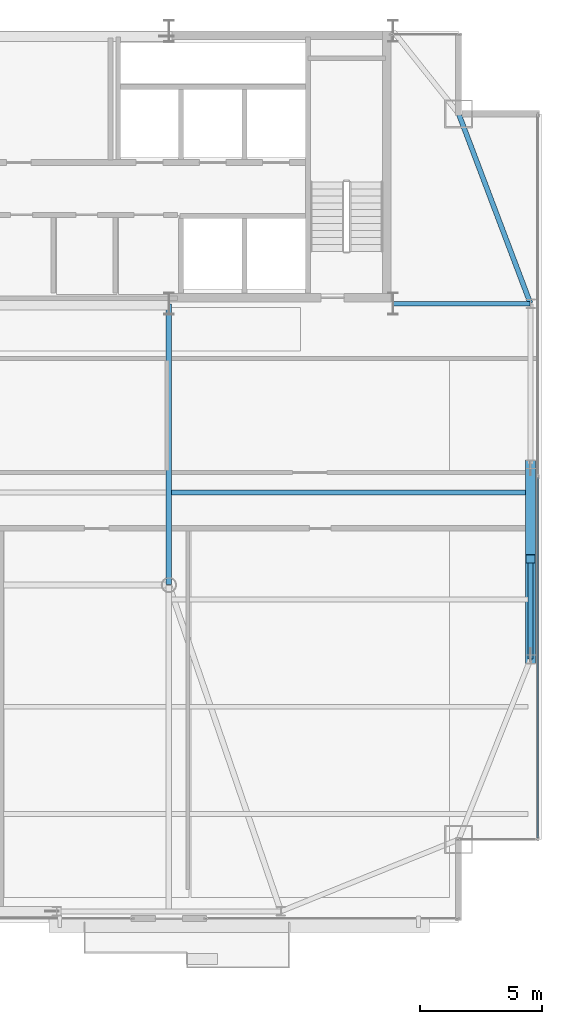
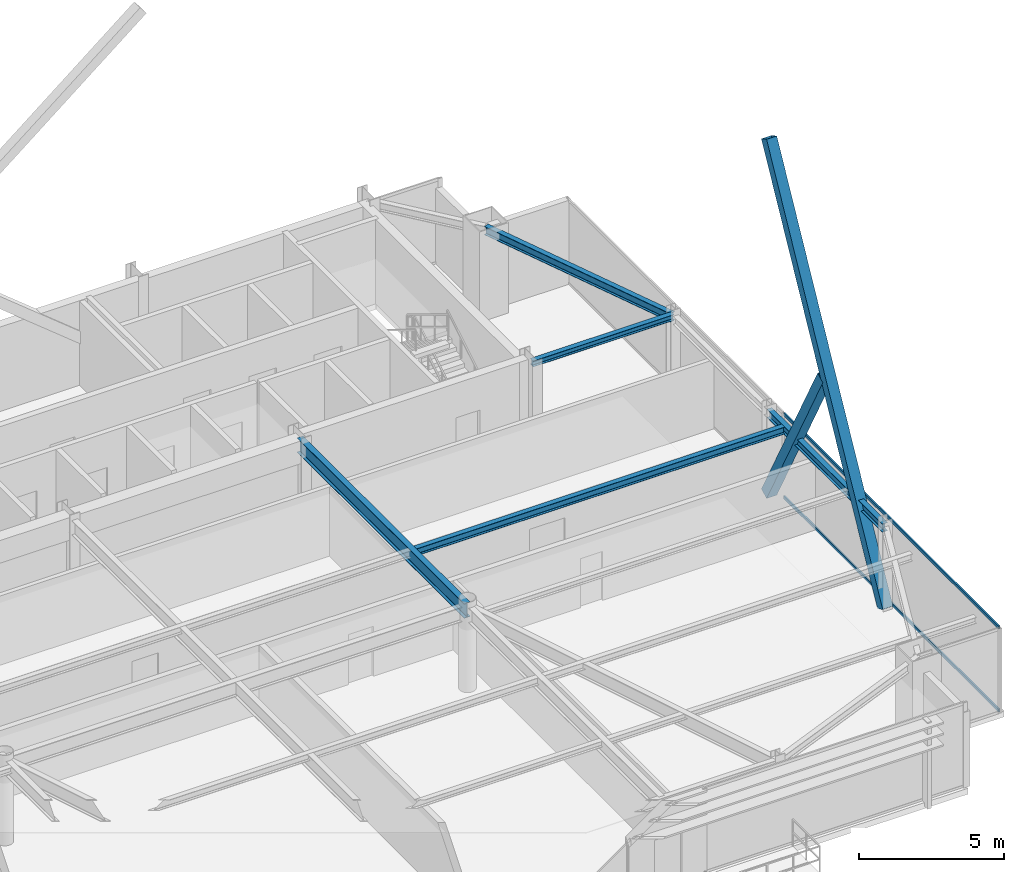
# One storey, part 18 of 31: 5 beams, 4 members, 1 element without a shape of its own.
"""IFC4 building model written with IfcOpenShell, lengths in metres."""

from ifc_helpers import new_model, si_unit, direction, frame, origin, origin_2d, place, context, subcontext, project, spatial, hollow_rectangle, i_section, extrude, source, transform, mapped, material, layer, layer_set, material_profile, profile_set, type_object, type_shapes, element, aggregate, save


model = new_model("IFC4")

# Units and contexts
model_context = context("Model", 3, precision=1e-05, world=origin(), true_north=direction((0.0, 1.0)))
body_context = subcontext(model_context, "Body", "Model", "MODEL_VIEW")
ifc_project = project(units=[si_unit("LENGTHUNIT", "METRE"), si_unit("AREAUNIT", "SQUARE_METRE"), si_unit("VOLUMEUNIT", "CUBIC_METRE"), si_unit("PLANEANGLEUNIT", "RADIAN"), si_unit("MASSUNIT", "GRAM", prefix="KILO")], contexts=[model_context])

# Site, building, storey
site_placement = place(None, origin())
site = spatial("IfcSite", under=ifc_project, at=site_placement, CompositionType="ELEMENT")
building_placement = place(site_placement, origin())
building = spatial("IfcBuilding", under=site, at=building_placement, Name="Varnel Quay Broadcast Tower", CompositionType="ELEMENT")
storey_placement = place(building_placement, frame((0.0, 0.0, 239.39990234375)))
storey = spatial("IfcBuildingStorey", under=building, at=storey_placement, Name="L59", CompositionType="ELEMENT", Elevation=239.39990234375)

# Beams
ifc_material_1 = material(Name="Structural Steel CSA G40.21 350W", Category="steel")
ifc_material_profile_1 = material_profile(ifc_material_1, i_section(OverallWidth=0.205078125, OverallDepth=0.35400390625, WebThickness=0.009521484375, FlangeThickness=0.016845703125, FilletRadius=0.012939453125, at=origin_2d()), Name="W360X79")
ifc_profile_set_1 = profile_set([ifc_material_profile_1], Name="Structural Steel CSA G40.21 350W")
beam_type_1 = type_object("IfcBeamType", Name="Beam_W360X79", PredefinedType="SPANDREL", material=ifc_profile_set_1)
shared_shape_1 = source(origin(), body_context, "Body", "SweptSolid", [
    extrude(i_section(OverallWidth=0.205078125, OverallDepth=0.35400390625, WebThickness=0.009521484375, FlangeThickness=0.016845703125, FilletRadius=0.012939453125, at=origin_2d()), origin(), (0.0, 0.0, 1.0), 7.9599609375),
])
beam_1_placement = place(storey_placement, frame((58.050048828125, 21.02001953125, 3.373046875), z_axis=(0.0, 1.0, 0.0), x_axis=(-1.0, 0.0, 0.0)))
element("IfcBeam", 1, at=beam_1_placement, inside=storey, type_object=beam_type_1, Name="L59 East Spandrel TC-E1-TC-E2", PredefinedType="SPANDREL", context=body_context, shape_type="MappedRepresentation", body=[
    mapped(shared_shape_1, transform((0.0, 0.0, 0.0), x_axis=(1.0, 0.0, 0.0), y_axis=(0.0, 1.0, 0.0), z_axis=(0.0, 0.0, 1.0), scale=1.0)),
])
shared_shape_2 = source(origin(), body_context, "Body", "SweptSolid", [
    extrude(i_section(OverallWidth=0.205078125, OverallDepth=0.35400390625, WebThickness=0.009521484375, FlangeThickness=0.016845703125, FilletRadius=0.012939453125, at=origin_2d()), origin(), (0.0, 0.0, 1.0), 8.29931640625),
])
type_shapes(beam_type_1, [shared_shape_1, shared_shape_2])
beam_2_placement = place(storey_placement, frame((58.04296875, 35.61865234375, 3.373046875), z_axis=(-0.353739782058, 0.935343876117, 0.0), x_axis=(-0.935343876117, -0.353739782058, 0.0)))
element("IfcBeam", 2, at=beam_2_placement, inside=storey, type_object=beam_type_1, Name="L59 East Spandrel TC-E3-MC-NE", PredefinedType="SPANDREL", context=body_context, shape_type="MappedRepresentation", body=[
    mapped(shared_shape_2, transform((0.0, 0.0, 0.0), x_axis=(1.0, 0.0, 0.0), y_axis=(0.0, 1.0, 0.0), z_axis=(0.0, 0.0, 1.0), scale=1.0)),
])
ifc_material_profile_2 = material_profile(ifc_material_1, i_section(OverallWidth=0.22998046875, OverallDepth=0.616943359375, WebThickness=0.01318359375, FlangeThickness=0.022216796875, FilletRadius=0.01611328125, at=origin_2d()), Name="W610X140")
ifc_profile_set_2 = profile_set([ifc_material_profile_2], Name="Structural Steel CSA G40.21 350W")
beam_type_2 = type_object("IfcBeamType", Name="Girder_W610X140", PredefinedType="BEAM", material=ifc_profile_set_2)
shared_shape_3 = source(origin(), body_context, "Body", "SweptSolid", [
    extrude(i_section(OverallWidth=0.22998046875, OverallDepth=0.616943359375, WebThickness=0.01318359375, FlangeThickness=0.022216796875, FilletRadius=0.01611328125, at=origin_2d()), origin(), (0.0, 0.0, 1.0), 11.510009765625),
])
type_shapes(beam_type_2, [shared_shape_3])
beam_3_placement = place(storey_placement, frame((43.199951171875, 24.070068359375, 3.24169921875), z_axis=(0.0, 1.0, 0.0), x_axis=(-1.0, 0.0, 0.0)))
element("IfcBeam", 3, at=beam_3_placement, inside=storey, type_object=beam_type_2, Name="L59 Primary Girder IC-02-CC-S4", PredefinedType="BEAM", context=body_context, shape_type="MappedRepresentation", body=[
    mapped(shared_shape_3, transform((0.0, 0.0, 0.0), x_axis=(1.0, 0.0, 0.0), y_axis=(0.0, 1.0, 0.0), z_axis=(0.0, 0.0, 1.0), scale=1.0)),
])
ifc_material_profile_3 = material_profile(ifc_material_1, i_section(OverallWidth=0.201904296875, OverallDepth=0.2470703125, WebThickness=0.00732421875, FlangeThickness=0.010986328125, FilletRadius=0.010986328125, at=origin_2d()), Name="W250X49")
ifc_profile_set_3 = profile_set([ifc_material_profile_3], Name="Structural Steel CSA G40.21 350W")
beam_type_3 = type_object("IfcBeamType", Name="Beam_W250X49", PredefinedType="JOIST", material=ifc_profile_set_3)
shared_shape_4 = source(origin(), body_context, "Body", "SweptSolid", [
    extrude(i_section(OverallWidth=0.201904296875, OverallDepth=0.2470703125, WebThickness=0.00732421875, FlangeThickness=0.010986328125, FilletRadius=0.010986328125, at=origin_2d()), origin(), (0.0, 0.0, 1.0), 5.610107421875),
])
type_shapes(beam_type_3, [shared_shape_4])
beam_4_placement = place(storey_placement, frame((52.419921875, 35.60009765625, 3.426513671875), z_axis=(1.0, 0.0, 0.0), x_axis=(0.0, 1.0, 0.0)))
element("IfcBeam", 4, at=beam_4_placement, inside=storey, type_object=beam_type_3, Name="L59 East Core Tie Joist", PredefinedType="JOIST", context=body_context, shape_type="MappedRepresentation", body=[
    mapped(shared_shape_4, transform((0.0, 0.0, 0.0), x_axis=(1.0, 0.0, 0.0), y_axis=(0.0, 1.0, 0.0), z_axis=(0.0, 0.0, 1.0), scale=1.0)),
])
ifc_material_profile_4 = material_profile(ifc_material_1, i_section(OverallWidth=0.202880859375, OverallDepth=0.302978515625, WebThickness=0.007568359375, FlangeThickness=0.01318359375, FilletRadius=0.011962890625, at=origin_2d()), Name="W310X60")
ifc_profile_set_4 = profile_set([ifc_material_profile_4], Name="Structural Steel CSA G40.21 350W")
beam_type_4 = type_object("IfcBeamType", Name="Beam_W310X60", PredefinedType="JOIST", material=ifc_profile_set_4)
shared_shape_5 = source(origin(), body_context, "Body", "SweptSolid", [
    extrude(i_section(OverallWidth=0.202880859375, OverallDepth=0.302978515625, WebThickness=0.007568359375, FlangeThickness=0.01318359375, FilletRadius=0.011962890625, at=origin_2d()), origin(), (0.0, 0.0, 1.0), 14.642333984375),
])
type_shapes(beam_type_4, [shared_shape_5])
beam_5_placement = place(storey_placement, frame((43.31005859375, 27.85009765625, 3.398681640625), z_axis=(1.0, 0.0, 0.0), x_axis=(0.0, 1.0, 0.0)))
element("IfcBeam", 5, at=beam_5_placement, inside=storey, type_object=beam_type_4, Name="L59 East Floor Joist 4", PredefinedType="JOIST", context=body_context, shape_type="MappedRepresentation", body=[
    mapped(shared_shape_5, transform((0.0, 0.0, 0.0), x_axis=(1.0, 0.0, 0.0), y_axis=(0.0, 1.0, 0.0), z_axis=(0.0, 0.0, 1.0), scale=1.0)),
])

# Members
ifc_material_profile_5 = material_profile(ifc_material_1, hollow_rectangle(XDim=0.406005859375, YDim=0.406005859375, WallThickness=0.01611328125, at=origin_2d()), Name="HSS406X406X16")
ifc_profile_set_5 = profile_set([ifc_material_profile_5], Name="Structural Steel CSA G40.21 350W")
member_type_1 = type_object("IfcMemberType", Name="Brace_HSS406X406X16", PredefinedType="BRACE", material=ifc_profile_set_5)
shared_shape_6 = source(origin(), body_context, "Body", "SweptSolid", [
    extrude(hollow_rectangle(XDim=0.406005859375, YDim=0.406005859375, WallThickness=0.01611328125, at=origin_2d()), origin(), (0.0, 0.0, 1.0), 8.191650390625),
])
member_1_placement = place(storey_placement, frame((58.050048828125, 29.0, 0.02001953125), z_axis=(0.0, -0.47280190134, 0.881168747794), x_axis=(1.0, 0.0, 0.0)))
element("IfcMember", 6, at=member_1_placement, inside=storey, type_object=member_type_1, Name="Zone 4 Mega-Brace E-FT3 Split Diag B1", PredefinedType="BRACE", context=body_context, shape_type="MappedRepresentation", body=[
    mapped(shared_shape_6, transform((0.0, 0.0, 0.0), x_axis=(1.0, 0.0, 0.0), y_axis=(0.0, 1.0, 0.0), z_axis=(0.0, 0.0, 1.0), scale=1.0)),
])
shared_shape_7 = source(origin(), body_context, "Body", "SweptSolid", [
    extrude(hollow_rectangle(XDim=0.406005859375, YDim=0.406005859375, WallThickness=0.01611328125, at=origin_2d()), origin(), (0.0, 0.0, 1.0), 16.9208984375),
])
type_shapes(member_type_1, [shared_shape_6, shared_shape_7])
member_2_placement = place(storey_placement, frame((58.050048828125, 21.0, 0.02001953125), z_axis=(0.0, 0.472791473482, 0.88117434291), x_axis=(-1.0, 0.0, 0.0)))
element("IfcMember", 7, at=member_2_placement, inside=storey, type_object=member_type_1, Name="Zone 4 Mega-Brace E-FT3 Continuous Diag A", PredefinedType="BRACE", context=body_context, shape_type="MappedRepresentation", body=[
    mapped(shared_shape_7, transform((0.0, 0.0, 0.0), x_axis=(1.0, 0.0, 0.0), y_axis=(0.0, 1.0, 0.0), z_axis=(0.0, 0.0, 1.0), scale=1.0)),
])

# Curtain wall, members
ifc_material_2 = material(Name="Anodised Bronze Aluminium 6063-T6", Category="aluminium")
ifc_layer = layer(ifc_material_2, 0.18994140625, Name="Anodised Bronze Aluminium 6063-T6")
ifc_layer_set = layer_set([ifc_layer], Name="Anodised Bronze Aluminium 6063-T6")
curtain_wall_type = type_object("IfcCurtainWallType", Name="CW_UpperTower", PredefinedType="NOTDEFINED", material=ifc_layer_set)
curtain_wall_placement = place(storey_placement, origin())
curtain_wall = element("IfcCurtainWall", 8, at=curtain_wall_placement, inside=storey, type_object=curtain_wall_type, Name="L59 East Unitised Curtain Wall", PredefinedType="NOTDEFINED")
ifc_material_profile_6 = material_profile(ifc_material_2, hollow_rectangle(XDim=0.06005859375, YDim=0.125, WallThickness=0.0029296875, at=origin_2d()), Name="ALU60X125X3")
ifc_profile_set_6 = profile_set([ifc_material_profile_6], Name="Anodised Bronze Aluminium 6063-T6")
member_type_2 = type_object("IfcMemberType", Name="Tran_CWS-03", PredefinedType="USERDEFINED", material=ifc_profile_set_6)
shared_shape_8 = source(origin(), body_context, "Body", "SweptSolid", [
    extrude(hollow_rectangle(XDim=0.06005859375, YDim=0.125, WallThickness=0.0029296875, at=origin_2d()), origin(), (0.0, 0.0, 1.0), 14.802490234375),
])
type_shapes(member_type_2, [shared_shape_8])
member_3_placement = place(storey_placement, frame((58.35009765625, 13.6650390625, 0.030029296875), z_axis=(0.0, 1.0, 0.0), x_axis=(-1.0, 0.0, 0.0)))
member_3 = element("IfcMember", 9, at=member_3_placement, type_object=member_type_2, Name="CWS-03 transom 1.1", ObjectType="TRANSOM", PredefinedType="USERDEFINED", context=body_context, shape_type="MappedRepresentation", body=[
    mapped(shared_shape_8, transform((0.0, 0.0, 0.0), x_axis=(1.0, 0.0, 0.0), y_axis=(0.0, 1.0, 0.0), z_axis=(0.0, 0.0, 1.0), scale=1.0)),
])
member_4_placement = place(storey_placement, frame((58.35009765625, 13.6650390625, 3.52001953125), z_axis=(0.0, 1.0, 0.0), x_axis=(-1.0, 0.0, 0.0)))
member_4 = element("IfcMember", 10, at=member_4_placement, type_object=member_type_2, Name="CWS-03 transom 1.2", ObjectType="TRANSOM", PredefinedType="USERDEFINED", context=body_context, shape_type="MappedRepresentation", body=[
    mapped(shared_shape_8, transform((0.0, 0.0, 0.0), x_axis=(1.0, 0.0, 0.0), y_axis=(0.0, 1.0, 0.0), z_axis=(0.0, 0.0, 1.0), scale=1.0)),
])
aggregate(curtain_wall, [member_3, member_4])

save(model, "model.ifc")
